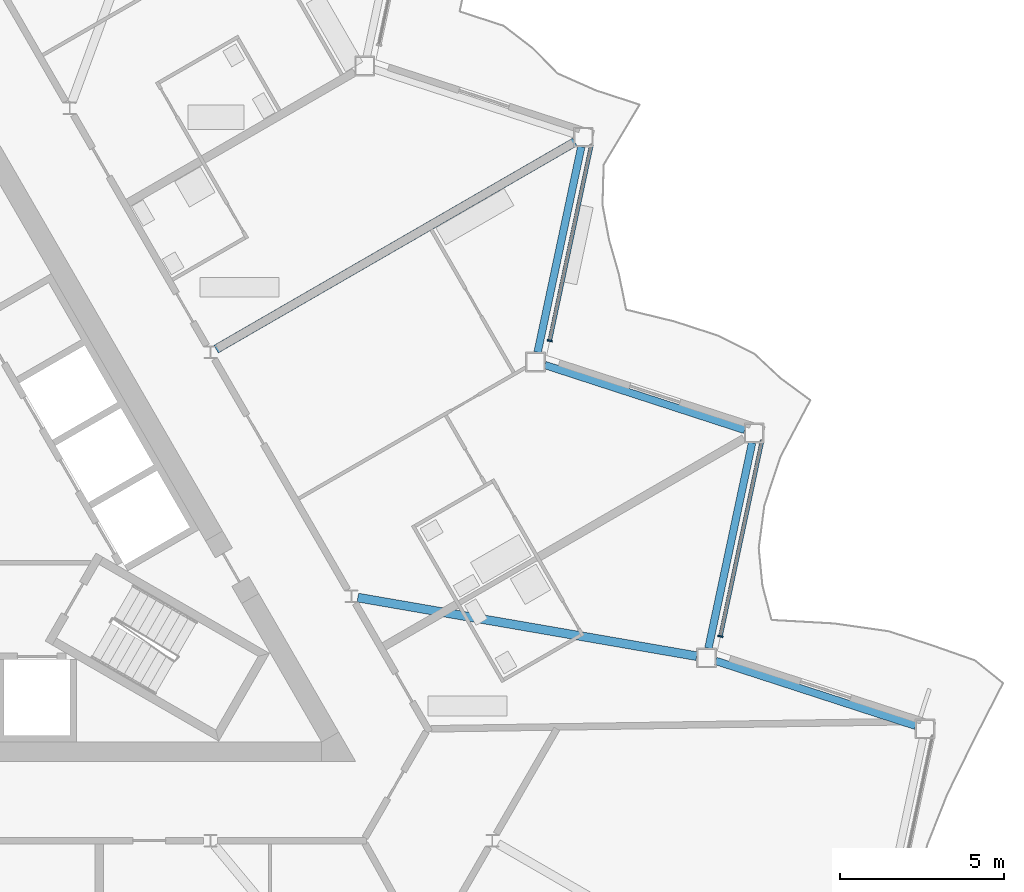
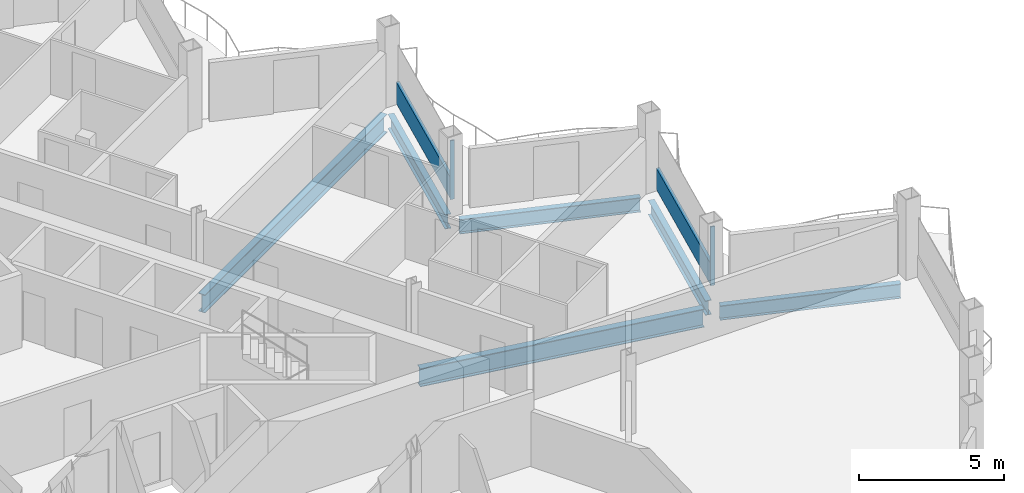
# One storey, part 9 of 26: 6 beams, 4 members, 2 elements without a shape of their own.
"""IFC4 building model written with IfcOpenShell, lengths in metres."""

from ifc_helpers import new_model, si_unit, direction, frame, origin, origin_2d, place, context, subcontext, project, spatial, rectangle, i_section, extrude, material, layer, layer_set, material_profile, profile_set, type_object, element, aggregate, save


model = new_model("IFC4")

# Units and contexts
model_context = context("Model", 3, precision=1e-05, world=origin(), true_north=direction((0.0, 1.0)))
body_context = subcontext(model_context, "Body", "Model", "MODEL_VIEW")
ifc_project = project(units=[si_unit("LENGTHUNIT", "METRE"), si_unit("AREAUNIT", "SQUARE_METRE"), si_unit("VOLUMEUNIT", "CUBIC_METRE"), si_unit("PLANEANGLEUNIT", "RADIAN"), si_unit("MASSUNIT", "GRAM", prefix="KILO")], contexts=[model_context])

# Site, building, storey
site_placement = place(None, origin())
site = spatial("IfcSite", under=ifc_project, at=site_placement, CompositionType="ELEMENT")
building_placement = place(site_placement, origin())
building = spatial("IfcBuilding", under=site, at=building_placement, Name="Cormorant Prow Tower", CompositionType="ELEMENT")
storey_placement = place(building_placement, frame((0.0, 0.0, 325.60009765625)))
storey = spatial("IfcBuildingStorey", under=building, at=storey_placement, Name="L72", CompositionType="ELEMENT", Elevation=325.60009765625)

# Beams
ifc_material_1 = material(Name="Structural steel ASTM A992 Gr 50", Category="steel")
ifc_material_profile_1 = material_profile(ifc_material_1, i_section(OverallWidth=0.267822265625, OverallDepth=0.77001953125, WebThickness=0.015625, FlangeThickness=0.025390625, at=origin_2d()), Name="W30x132")
ifc_profile_set_1 = profile_set([ifc_material_profile_1], Name="Structural steel ASTM A992 Gr 50")
beam_type_1 = type_object("IfcBeamType", Name="Radial floor beam W30x132", PredefinedType="BEAM", material=ifc_profile_set_1)
beam_1_placement = place(storey_placement, frame((13.0625, -2.510009765625, -0.68505859375), z_axis=(0.985379592304, -0.170373293304, 0.0), x_axis=(0.170373293304, 0.985379592304, 0.0)))
element("IfcBeam", 1, at=beam_1_placement, inside=storey, type_object=beam_type_1, Name="Radial floor beam FB3 10 L72", PredefinedType="BEAM", context=body_context, shape_type="SweptSolid", body=[
    extrude(i_section(OverallWidth=0.267822265625, OverallDepth=0.77001953125, WebThickness=0.015625, FlangeThickness=0.025390625, at=origin_2d()), origin(), (0.0, 0.0, 1.0), 10.465087890625),
])
beam_2_placement = place(storey_placement, frame((8.749755859375, 5.051513671875, -0.68505859375), z_axis=(0.866021086443, 0.50000747778, 0.0), x_axis=(-0.50000747778, 0.866021086443, 0.0)))
element("IfcBeam", 2, at=beam_2_placement, inside=storey, type_object=beam_type_1, Name="Radial floor beam FB3 11 L72", PredefinedType="BEAM", context=body_context, shape_type="SweptSolid", body=[
    extrude(i_section(OverallWidth=0.267822265625, OverallDepth=0.77001953125, WebThickness=0.015625, FlangeThickness=0.025390625, at=origin_2d()), origin(), (0.0, 0.0, 1.0), 12.604736328125),
])

# Curtain wall, member
ifc_material_2 = material(Name="Aluminium 6063-T6", Category="aluminium")
ifc_layer = layer(ifc_material_2, 0.159912109375)
ifc_layer_set = layer_set([ifc_layer], Name="Aluminium 6063-T6")
curtain_wall_type = type_object("IfcCurtainWallType", Name="Residential unitised curtain wall 160", PredefinedType="NOTDEFINED", material=ifc_layer_set)
curtain_wall_1_placement = place(storey_placement, origin())
curtain_wall_1 = element("IfcCurtainWall", 3, at=curtain_wall_1_placement, inside=storey, type_object=curtain_wall_type, Name="Residential curtain wall ENE02", PredefinedType="NOTDEFINED")
ifc_material_3 = material(Name="Aluminium 6063-T6", Category="aluminium")
ifc_material_profile_2 = material_profile(ifc_material_3, rectangle(XDim=0.159912109375, YDim=0.050048828125, at=origin_2d()), Name="Residential mullion 50x160")
ifc_profile_set_2 = profile_set([ifc_material_profile_2], Name="Aluminium 6063-T6")
member_type_1 = type_object("IfcMemberType", Name="Residential mullion 50x160", PredefinedType="MULLION", material=ifc_profile_set_2)
member_1_placement = place(storey_placement, frame((24.097900390625, -3.688232421875, 0.0), z_axis=(0.0, 0.0, 1.0), x_axis=(-0.978147600676, 0.207911691091, 0.0)))
member_1 = element("IfcMember", 4, at=member_1_placement, type_object=member_type_1, Name="Residential mullion ENE02", PredefinedType="MULLION", context=body_context, shape_type="SweptSolid", body=[
    extrude(rectangle(XDim=0.159912109375, YDim=0.050048828125, at=origin_2d()), origin(), (0.0, 0.0, 1.0), 2.48779296875),
])

curtain_wall_2_placement = place(storey_placement, origin())
curtain_wall_2 = element("IfcCurtainWall", 5, at=curtain_wall_2_placement, inside=storey, type_object=curtain_wall_type, Name="Residential curtain wall ENE04", PredefinedType="NOTDEFINED")
member_2_placement = place(storey_placement, frame((18.903076171875, 5.309326171875, 0.0), z_axis=(0.0, 0.0, 1.0), x_axis=(-0.978147600676, 0.207911691091, 0.0)))
member_2 = element("IfcMember", 6, at=member_2_placement, type_object=member_type_1, Name="Residential mullion ENE04", PredefinedType="MULLION", context=body_context, shape_type="SweptSolid", body=[
    extrude(rectangle(XDim=0.159912109375, YDim=0.050048828125, at=origin_2d()), origin(), (0.0, 0.0, 1.0), 2.48779296875),
])

# Member
ifc_material_4 = material(Name="Terracotta", Category="masonry")
ifc_material_profile_3 = material_profile(ifc_material_4, rectangle(XDim=0.1201171875, YDim=0.89990234375, at=origin_2d()), Name="Residential terracotta spandrel rail 120x900")
ifc_profile_set_3 = profile_set([ifc_material_profile_3], Name="Terracotta")
member_type_2 = type_object("IfcMemberType", Name="Residential terracotta spandrel rail 120x900", PredefinedType="USERDEFINED", material=ifc_profile_set_3)
member_3_placement = place(storey_placement, frame((24.10302734375, -3.663818359375, 0.449951171875), z_axis=(0.207908765956, 0.978148222428, 0.0), x_axis=(-0.978148222428, 0.207908765956, 0.0)))
member_3 = element("IfcMember", 7, at=member_3_placement, type_object=member_type_2, Name="Residential spandrel rail ENE02", ObjectType="TRANSOM", PredefinedType="USERDEFINED", context=body_context, shape_type="SweptSolid", body=[
    extrude(rectangle(XDim=0.1201171875, YDim=0.89990234375, at=origin_2d()), origin(), (0.0, 0.0, 1.0), 6.072021484375),
])

aggregate(curtain_wall_1, [member_1, member_3])

member_4_placement = place(storey_placement, frame((18.908447265625, 5.333740234375, 0.449951171875), z_axis=(0.207908765956, 0.978148222428, 0.0), x_axis=(-0.978148222428, 0.207908765956, 0.0)))
member_4 = element("IfcMember", 8, at=member_4_placement, type_object=member_type_2, Name="Residential spandrel rail ENE04", ObjectType="TRANSOM", PredefinedType="USERDEFINED", context=body_context, shape_type="SweptSolid", body=[
    extrude(rectangle(XDim=0.1201171875, YDim=0.89990234375, at=origin_2d()), origin(), (0.0, 0.0, 1.0), 6.072021484375),
])

aggregate(curtain_wall_2, [member_2, member_4])

# Beams
ifc_material_5 = material(Name="Structural steel ASTM A992 Gr 50", Category="steel")
ifc_material_profile_4 = material_profile(ifc_material_5, i_section(OverallWidth=0.22900390625, OverallDepth=0.612060546875, WebThickness=0.011962890625, FlangeThickness=0.01953125, at=origin_2d()), Name="W24x84")
ifc_profile_set_4 = profile_set([ifc_material_profile_4], Name="Structural steel ASTM A992 Gr 50")
beam_type_2 = type_object("IfcBeamType", Name="Spandrel beam W24x84", PredefinedType="SPANDREL", material=ifc_profile_set_4)
beam_3_placement = place(storey_placement, frame((30.038330078125, -6.413330078125, -0.606201171875), z_axis=(-0.951064359156, 0.308992855489, 0.0), x_axis=(-0.308992855489, -0.951064359156, 0.0)))
element("IfcBeam", 9, at=beam_3_placement, inside=storey, type_object=beam_type_2, Name="Spandrel beam SB3 ENE01-ENE02 L72", PredefinedType="SPANDREL", context=body_context, shape_type="SweptSolid", body=[
    extrude(i_section(OverallWidth=0.22900390625, OverallDepth=0.612060546875, WebThickness=0.011962890625, FlangeThickness=0.01953125, at=origin_2d()), origin(), (0.0, 0.0, 1.0), 6.39599609375),
])
beam_4_placement = place(storey_placement, frame((23.732421875, -4.05078125, -0.606201171875), z_axis=(0.20791262393, 0.978147402394, 0.0), x_axis=(-0.978147402394, 0.20791262393, 0.0)))
element("IfcBeam", 10, at=beam_4_placement, inside=storey, type_object=beam_type_2, Name="Spandrel beam SB3 ENE02-ENE03 L72", PredefinedType="SPANDREL", context=body_context, shape_type="SweptSolid", body=[
    extrude(i_section(OverallWidth=0.22900390625, OverallDepth=0.612060546875, WebThickness=0.011962890625, FlangeThickness=0.01953125, at=origin_2d()), origin(), (0.0, 0.0, 1.0), 6.396240234375),
])
beam_5_placement = place(storey_placement, frame((24.83935546875, 2.591796875, -0.606201171875), z_axis=(-0.951064359156, 0.308992855489, 0.0), x_axis=(-0.308992855489, -0.951064359156, 0.0)))
element("IfcBeam", 11, at=beam_5_placement, inside=storey, type_object=beam_type_2, Name="Spandrel beam SB3 ENE03-ENE04 L72", PredefinedType="SPANDREL", context=body_context, shape_type="SweptSolid", body=[
    extrude(i_section(OverallWidth=0.22900390625, OverallDepth=0.612060546875, WebThickness=0.011962890625, FlangeThickness=0.01953125, at=origin_2d()), origin(), (0.0, 0.0, 1.0), 6.39599609375),
])
beam_6_placement = place(storey_placement, frame((18.533447265625, 4.954345703125, -0.606201171875), z_axis=(0.20791262393, 0.978147402394, 0.0), x_axis=(-0.978147402394, 0.20791262393, 0.0)))
element("IfcBeam", 12, at=beam_6_placement, inside=storey, type_object=beam_type_2, Name="Spandrel beam SB3 ENE04-ENE05 L72", PredefinedType="SPANDREL", context=body_context, shape_type="SweptSolid", body=[
    extrude(i_section(OverallWidth=0.22900390625, OverallDepth=0.612060546875, WebThickness=0.011962890625, FlangeThickness=0.01953125, at=origin_2d()), origin(), (0.0, 0.0, 1.0), 6.396240234375),
])

save(model, "model.ifc")
